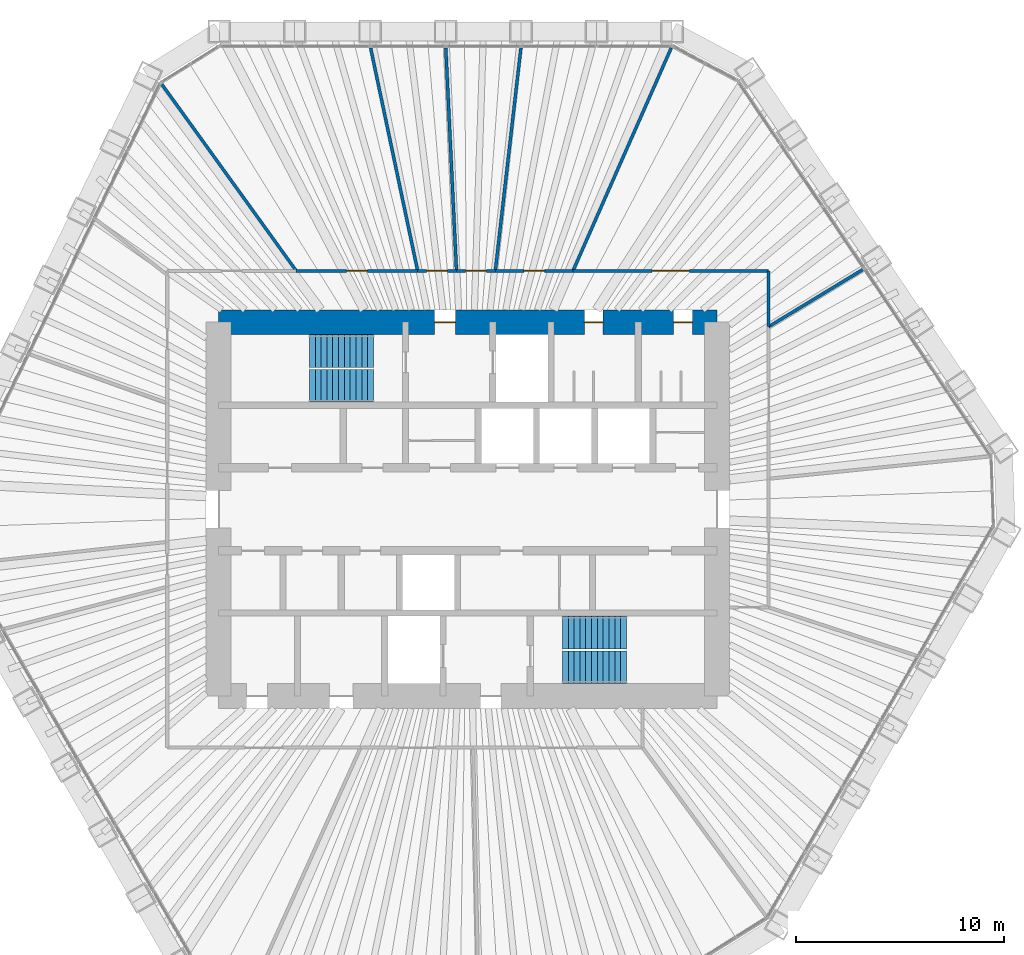
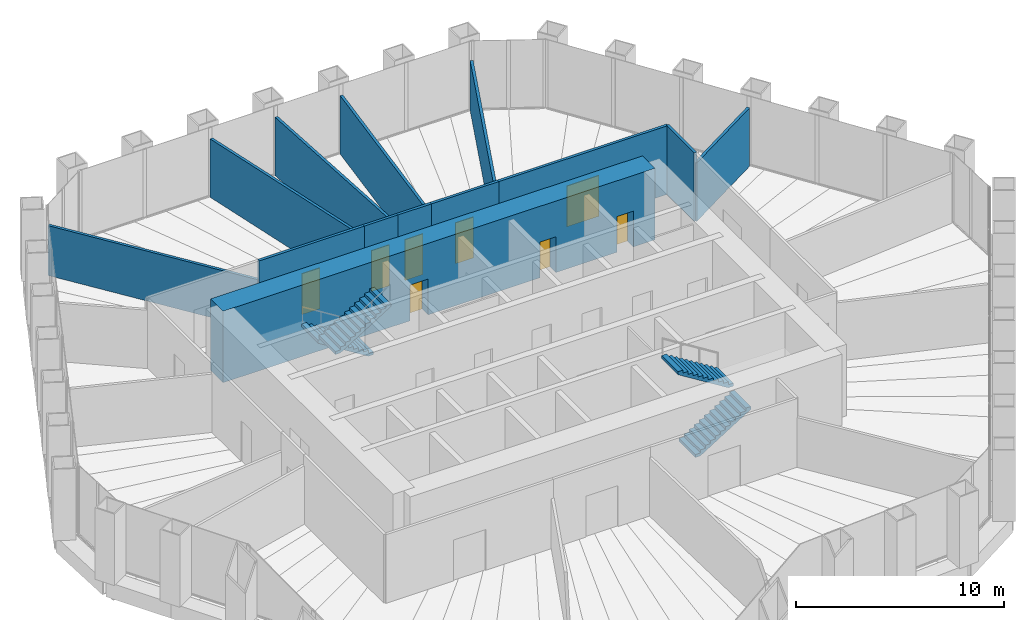
# One storey, part 13 of 14: 13 walls, 8 doors, 4 stair flights, 8 openings, 2 elements without a shape of their own.
"""IFC4 building model written with IfcOpenShell, lengths in metres."""

from ifc_helpers import new_model, si_unit, direction, frame, frame_2d, origin, place, context, subcontext, project, spatial, polyline, rectangle, outline, extrude, material, layer, layer_set, type_object, element, fill, aggregate, save


model = new_model("IFC4")

# Units and contexts
model_context = context("Model", 3, precision=1e-05, world=origin(), true_north=direction((0.0, 1.0)))
body_context = subcontext(model_context, "Body", "Model", "MODEL_VIEW")
ifc_project = project(units=[si_unit("LENGTHUNIT", "METRE"), si_unit("AREAUNIT", "SQUARE_METRE"), si_unit("VOLUMEUNIT", "CUBIC_METRE"), si_unit("PLANEANGLEUNIT", "RADIAN"), si_unit("MASSUNIT", "GRAM", prefix="KILO")], contexts=[model_context])

# Site, building, storey
site_placement = place(None, origin())
site = spatial("IfcSite", under=ifc_project, at=site_placement, CompositionType="ELEMENT")
building_placement = place(site_placement, origin())
building = spatial("IfcBuilding", under=site, at=building_placement, Name="Qingtian Harvest Tower", CompositionType="ELEMENT")
storey_placement = place(building_placement, frame((0.0, 0.0, 201.39990234375)))
storey = spatial("IfcBuildingStorey", under=building, at=storey_placement, Name="L43", CompositionType="ELEMENT", Elevation=201.39990234375)

# Wall, openings, doors
ifc_material_1 = material(Name="Concrete fc' 70 MPa", Category="concrete")
ifc_layer_1 = layer(ifc_material_1, 1.199951171875)
ifc_layer_set_1 = layer_set([ifc_layer_1], Name="Core wall RC2 1200")
wall_type_1 = type_object("IfcWallType", Name="Core wall RC2 1200", PredefinedType="SHEAR", material=ifc_layer_set_1)
wall_1_placement = place(storey_placement, frame((-12.0, 9.0, 0.0), z_axis=(0.0, 0.0, 1.0), x_axis=(1.0, 0.0, 0.0)))
wall_1 = element("IfcWall", 1, at=wall_1_placement, inside=storey, type_object=wall_type_1, Name="Core wall CN L43", PredefinedType="SHEAR", context=body_context, shape_type="SweptSolid", body=[
    extrude(rectangle(XDim=24.0, YDim=1.199951171875, at=frame_2d((12.0, 0.0))), origin(), (0.0, 0.0, 1.0), 4.2001953125),
])
opening_1_placement = place(wall_1_placement, frame((10.39990234375, 0.0, 0.0)))
opening_1 = element("IfcOpeningElement", 2, at=opening_1_placement, cuts=wall_1, Name="Opening FD1", PredefinedType="OPENING", context=body_context, shape_type="SweptSolid", body=[
    extrude(rectangle(XDim=1.0, YDim=2.10009765625, at=frame_2d((0.5, 1.050048828125))), frame((0.0, 0.60986328125, 0.0), z_axis=(0.0, -1.0, 0.0), x_axis=(1.0, 0.0, 0.0)), (0.0, 0.0, 1.0), 1.219970703125),
])
opening_2_placement = place(wall_1_placement, frame((17.60009765625, 0.0, 0.0)))
opening_2 = element("IfcOpeningElement", 3, at=opening_2_placement, cuts=wall_1, Name="Opening D1", PredefinedType="OPENING", context=body_context, shape_type="SweptSolid", body=[
    extrude(rectangle(XDim=0.89990234375, YDim=2.10009765625, at=frame_2d((0.449951171875, 1.050048828125))), frame((0.0, 0.60986328125, 0.0), z_axis=(0.0, -1.0, 0.0), x_axis=(1.0, 0.0, 0.0)), (0.0, 0.0, 1.0), 1.219970703125),
])
opening_3_placement = place(wall_1_placement, frame((21.89990234375, 0.0, 0.0)))
opening_3 = element("IfcOpeningElement", 4, at=opening_3_placement, cuts=wall_1, Name="Opening D1", PredefinedType="OPENING", context=body_context, shape_type="SweptSolid", body=[
    extrude(rectangle(XDim=0.89990234375, YDim=2.10009765625, at=frame_2d((0.449951171875, 1.050048828125))), frame((0.0, 0.60986328125, 0.0), z_axis=(0.0, -1.0, 0.0), x_axis=(1.0, 0.0, 0.0)), (0.0, 0.0, 1.0), 1.219970703125),
])
ifc_material_2 = material(Name="Steel-faced door leaf", Category="steel")
door_type_1 = type_object("IfcDoorType", Name="Fire door FD1 single 1 HR", OperationType="SINGLE_SWING_LEFT", PredefinedType="DOOR", material=ifc_material_2)
door_1_placement = place(opening_1_placement, origin())
door_1 = element("IfcDoor", 5, at=door_1_placement, inside=storey, type_object=door_type_1, Name="V1 door L43", OperationType="SINGLE_SWING_LEFT", OverallHeight=2.10009765625, OverallWidth=1.0, PredefinedType="DOOR", context=body_context, shape_type="SweptSolid", body=[
    extrude(rectangle(XDim=1.0, YDim=2.10009765625, at=frame_2d((0.5, 1.050048828125))), frame((0.0, 0.02490234375, 0.0), z_axis=(0.0, -1.0, 0.0), x_axis=(1.0, 0.0, 0.0)), (0.0, 0.0, 1.0), 0.050048828125),
])
fill(opening_1, door_1)
ifc_material_3 = material(Name="Laminated timber door leaf", Category="wood")
door_type_2 = type_object("IfcDoorType", Name="Toilet door D1 single", OperationType="SINGLE_SWING_LEFT", PredefinedType="DOOR", material=ifc_material_3)
door_2_placement = place(opening_2_placement, origin())
door_2 = element("IfcDoor", 6, at=door_2_placement, inside=storey, type_object=door_type_2, Name="WCM door L43", OperationType="SINGLE_SWING_LEFT", OverallHeight=2.10009765625, OverallWidth=0.89990234375, PredefinedType="DOOR", context=body_context, shape_type="SweptSolid", body=[
    extrude(rectangle(XDim=0.89990234375, YDim=2.10009765625, at=frame_2d((0.449951171875, 1.050048828125))), frame((0.0, 0.02490234375, 0.0), z_axis=(0.0, -1.0, 0.0), x_axis=(1.0, 0.0, 0.0)), (0.0, 0.0, 1.0), 0.050048828125),
])
fill(opening_2, door_2)
door_3_placement = place(opening_3_placement, origin())
door_3 = element("IfcDoor", 7, at=door_3_placement, inside=storey, type_object=door_type_2, Name="WCF door L43", OperationType="SINGLE_SWING_LEFT", OverallHeight=2.10009765625, OverallWidth=0.89990234375, PredefinedType="DOOR", context=body_context, shape_type="SweptSolid", body=[
    extrude(rectangle(XDim=0.89990234375, YDim=2.10009765625, at=frame_2d((0.449951171875, 1.050048828125))), frame((0.0, 0.02490234375, 0.0), z_axis=(0.0, -1.0, 0.0), x_axis=(1.0, 0.0, 0.0)), (0.0, 0.0, 1.0), 0.050048828125),
])
fill(opening_3, door_3)

# Wall
ifc_material_4 = material(Name="Gypsum board on steel studs", Category="steel")
ifc_layer_2 = layer(ifc_material_4, 0.14990234375)
ifc_layer_set_2 = layer_set([ifc_layer_2], Name="Partition PT1 150")
wall_type_2 = type_object("IfcWallType", Name="Partition PT1 150", PredefinedType="PARTITIONING", material=ifc_layer_set_2)
wall_2_placement = place(storey_placement, frame((9.7890625, 22.20849609375, 0.0), z_axis=(0.0, 0.0, 1.0), x_axis=(-0.403346052835, -0.9150475188, 0.0)))
element("IfcWall", 8, at=wall_2_placement, inside=storey, type_object=wall_type_2, Name="Office suite wall L43", PredefinedType="PARTITIONING", context=body_context, shape_type="SweptSolid", body=[
    extrude(rectangle(XDim=11.72998046875, YDim=0.14990234375, at=frame_2d((5.864990234375, 0.0))), origin(), (0.0, 0.0, 1.0), 2.93017578125),
])

# Wall, opening, door
wall_3_placement = place(storey_placement, frame((5.057861328125, 11.47509765625, 0.0), z_axis=(0.0, 0.0, 1.0), x_axis=(1.0, 0.0, 0.0)))
wall_3 = element("IfcWall", 9, at=wall_3_placement, inside=storey, type_object=wall_type_2, Name="Office suite wall L43", PredefinedType="PARTITIONING", context=body_context, shape_type="SweptSolid", body=[
    extrude(rectangle(XDim=9.417236328125, YDim=0.14990234375, at=frame_2d((4.70849609375, 0.0))), origin(), (0.0, 0.0, 1.0), 4.030029296875),
])
opening_4_placement = place(wall_3_placement, frame((3.80859375, 0.0, 0.0)))
opening_4 = element("IfcOpeningElement", 10, at=opening_4_placement, cuts=wall_3, Name="Opening D3", PredefinedType="OPENING", context=body_context, shape_type="SweptSolid", body=[
    extrude(rectangle(XDim=1.800048828125, YDim=2.39990234375, at=frame_2d((0.89990234375, 1.199951171875))), frame((0.0, 0.0849609375, 0.0), z_axis=(0.0, -1.0, 0.0), x_axis=(1.0, 0.0, 0.0)), (0.0, 0.0, 1.0), 0.169921875),
])
ifc_material_5 = material(Name="Laminated timber door leaf", Category="wood")
door_type_3 = type_object("IfcDoorType", Name="Room door D3 double", OperationType="DOUBLE_DOOR_DOUBLE_SWING", PredefinedType="DOOR", material=ifc_material_5)
door_4_placement = place(opening_4_placement, origin())
door_4 = element("IfcDoor", 11, at=door_4_placement, inside=storey, type_object=door_type_3, Name="Office suite door L43", OperationType="DOUBLE_DOOR_DOUBLE_SWING", OverallHeight=2.39990234375, OverallWidth=1.800048828125, PredefinedType="DOOR", context=body_context, shape_type="SweptSolid", body=[
    extrude(rectangle(XDim=1.800048828125, YDim=2.39990234375, at=frame_2d((0.89990234375, 1.199951171875))), frame((0.0, 0.02490234375, 0.0), z_axis=(0.0, -1.0, 0.0), x_axis=(1.0, 0.0, 0.0)), (0.0, 0.0, 1.0), 0.050048828125),
])
fill(opening_4, door_4)

# Walls
wall_4_placement = place(storey_placement, frame((14.47509765625, 11.47509765625, 0.0), z_axis=(0.0, 0.0, 1.0), x_axis=(0.0, -1.0, 0.0)))
element("IfcWall", 12, at=wall_4_placement, inside=storey, type_object=wall_type_2, Name="Office suite wall L43", PredefinedType="PARTITIONING", context=body_context, shape_type="SweptSolid", body=[
    extrude(rectangle(XDim=2.691650390625, YDim=0.14990234375, at=frame_2d((1.345703125, 0.0))), origin(), (0.0, 0.0, 1.0), 4.030029296875),
])
wall_5_placement = place(storey_placement, frame((19.001220703125, 11.530029296875, 0.0), z_axis=(0.0, 0.0, 1.0), x_axis=(-0.854906581035, -0.518781975114, 0.0)))
element("IfcWall", 13, at=wall_5_placement, inside=storey, type_object=wall_type_2, Name="Office suite wall L43", PredefinedType="PARTITIONING", context=body_context, shape_type="SweptSolid", body=[
    extrude(rectangle(XDim=5.294189453125, YDim=0.14990234375, at=frame_2d((2.64697265625, 0.0))), origin(), (0.0, 0.0, 1.0), 3.43017578125),
])
wall_6_placement = place(storey_placement, frame((-14.736572265625, 20.454833984375, 0.0), z_axis=(0.0, 0.0, 1.0), x_axis=(0.584547025688, -0.811359830629, 0.0)))
element("IfcWall", 14, at=wall_6_placement, inside=storey, type_object=wall_type_2, Name="Meeting room wall L43", PredefinedType="PARTITIONING", context=body_context, shape_type="SweptSolid", body=[
    extrude(rectangle(XDim=11.067626953125, YDim=0.14990234375, at=frame_2d((5.53369140625, 0.0))), origin(), (0.0, 0.0, 1.0), 2.93017578125),
])

# Wall, opening, door
wall_7_placement = place(storey_placement, frame((-8.26708984375, 11.47509765625, 0.0), z_axis=(0.0, 0.0, 1.0), x_axis=(1.0, 0.0, 0.0)))
wall_7 = element("IfcWall", 15, at=wall_7_placement, inside=storey, type_object=wall_type_2, Name="Meeting room wall L43", PredefinedType="PARTITIONING", context=body_context, shape_type="SweptSolid", body=[
    extrude(rectangle(XDim=5.84619140625, YDim=0.14990234375, at=frame_2d((2.923095703125, 0.0))), origin(), (0.0, 0.0, 1.0), 4.030029296875),
])
opening_5_placement = place(wall_7_placement, frame((2.423095703125, 0.0, 0.0)))
opening_5 = element("IfcOpeningElement", 16, at=opening_5_placement, cuts=wall_7, Name="Opening D2", PredefinedType="OPENING", context=body_context, shape_type="SweptSolid", body=[
    extrude(rectangle(XDim=1.0, YDim=2.39990234375, at=frame_2d((0.5, 1.199951171875))), frame((0.0, 0.0849609375, 0.0), z_axis=(0.0, -1.0, 0.0), x_axis=(1.0, 0.0, 0.0)), (0.0, 0.0, 1.0), 0.169921875),
])
ifc_material_6 = material(Name="Laminated timber door leaf", Category="wood")
door_type_4 = type_object("IfcDoorType", Name="Room door D2 single", OperationType="SINGLE_SWING_LEFT", PredefinedType="DOOR", material=ifc_material_6)
door_5_placement = place(opening_5_placement, origin())
door_5 = element("IfcDoor", 17, at=door_5_placement, inside=storey, type_object=door_type_4, Name="Meeting room door L43", OperationType="SINGLE_SWING_LEFT", OverallHeight=2.39990234375, OverallWidth=1.0, PredefinedType="DOOR", context=body_context, shape_type="SweptSolid", body=[
    extrude(rectangle(XDim=1.0, YDim=2.39990234375, at=frame_2d((0.5, 1.199951171875))), frame((0.0, 0.02490234375, 0.0), z_axis=(0.0, -1.0, 0.0), x_axis=(1.0, 0.0, 0.0)), (0.0, 0.0, 1.0), 0.050048828125),
])
fill(opening_5, door_5)

# Wall
wall_8_placement = place(storey_placement, frame((-4.684326171875, 22.2021484375, 0.0), z_axis=(0.0, 0.0, 1.0), x_axis=(0.206456017157, -0.978455881979, 0.0)))
element("IfcWall", 18, at=wall_8_placement, inside=storey, type_object=wall_type_2, Name="Print room wall L43", PredefinedType="PARTITIONING", context=body_context, shape_type="SweptSolid", body=[
    extrude(rectangle(XDim=10.963134765625, YDim=0.14990234375, at=frame_2d((5.4814453125, 0.0))), origin(), (0.0, 0.0, 1.0), 3.43017578125),
])

# Wall, opening, door
wall_9_placement = place(storey_placement, frame((-2.4208984375, 11.47509765625, 0.0), z_axis=(0.0, 0.0, 1.0), x_axis=(1.0, 0.0, 0.0)))
wall_9 = element("IfcWall", 19, at=wall_9_placement, inside=storey, type_object=wall_type_2, Name="Print room wall L43", PredefinedType="PARTITIONING", context=body_context, shape_type="SweptSolid", body=[
    extrude(rectangle(XDim=1.86962890625, YDim=0.14990234375, at=frame_2d((0.934814453125, 0.0))), origin(), (0.0, 0.0, 1.0), 4.030029296875),
])
opening_6_placement = place(wall_9_placement, frame((0.434814453125, 0.0, 0.0)))
opening_6 = element("IfcOpeningElement", 20, at=opening_6_placement, cuts=wall_9, Name="Opening D2", PredefinedType="OPENING", context=body_context, shape_type="SweptSolid", body=[
    extrude(rectangle(XDim=1.0, YDim=2.39990234375, at=frame_2d((0.5, 1.199951171875))), frame((0.0, 0.0849609375, 0.0), z_axis=(0.0, -1.0, 0.0), x_axis=(1.0, 0.0, 0.0)), (0.0, 0.0, 1.0), 0.169921875),
])
door_6_placement = place(opening_6_placement, origin())
door_6 = element("IfcDoor", 21, at=door_6_placement, inside=storey, type_object=door_type_4, Name="Print room door L43", OperationType="SINGLE_SWING_LEFT", OverallHeight=2.39990234375, OverallWidth=1.0, PredefinedType="DOOR", context=body_context, shape_type="SweptSolid", body=[
    extrude(rectangle(XDim=1.0, YDim=2.39990234375, at=frame_2d((0.5, 1.199951171875))), frame((0.0, 0.02490234375, 0.0), z_axis=(0.0, -1.0, 0.0), x_axis=(1.0, 0.0, 0.0)), (0.0, 0.0, 1.0), 0.050048828125),
])
fill(opening_6, door_6)

# Wall
wall_10_placement = place(storey_placement, frame((-1.066650390625, 22.2001953125, 0.0), z_axis=(0.0, 0.0, 1.0), x_axis=(0.047998335863, -0.998847415652, 0.0)))
element("IfcWall", 22, at=wall_10_placement, inside=storey, type_object=wall_type_2, Name="Store room wall L43", PredefinedType="PARTITIONING", context=body_context, shape_type="SweptSolid", body=[
    extrude(rectangle(XDim=10.737548828125, YDim=0.14990234375, at=frame_2d((5.36865234375, 0.0))), origin(), (0.0, 0.0, 1.0), 3.43017578125),
])

# Wall, opening, door
wall_11_placement = place(storey_placement, frame((-0.55126953125, 11.47509765625, 0.0), z_axis=(0.0, 0.0, 1.0), x_axis=(1.0, 0.0, 0.0)))
wall_11 = element("IfcWall", 23, at=wall_11_placement, inside=storey, type_object=wall_type_2, Name="Store room wall L43", PredefinedType="PARTITIONING", context=body_context, shape_type="SweptSolid", body=[
    extrude(rectangle(XDim=1.86962890625, YDim=0.14990234375, at=frame_2d((0.934814453125, 0.0))), origin(), (0.0, 0.0, 1.0), 4.030029296875),
])
opening_7_placement = place(wall_11_placement, frame((0.434814453125, 0.0, 0.0)))
opening_7 = element("IfcOpeningElement", 24, at=opening_7_placement, cuts=wall_11, Name="Opening D2", PredefinedType="OPENING", context=body_context, shape_type="SweptSolid", body=[
    extrude(rectangle(XDim=1.0, YDim=2.39990234375, at=frame_2d((0.5, 1.199951171875))), frame((0.0, 0.0849609375, 0.0), z_axis=(0.0, -1.0, 0.0), x_axis=(1.0, 0.0, 0.0)), (0.0, 0.0, 1.0), 0.169921875),
])
door_7_placement = place(opening_7_placement, origin())
door_7 = element("IfcDoor", 25, at=door_7_placement, inside=storey, type_object=door_type_4, Name="Store room door L43", OperationType="SINGLE_SWING_LEFT", OverallHeight=2.39990234375, OverallWidth=1.0, PredefinedType="DOOR", context=body_context, shape_type="SweptSolid", body=[
    extrude(rectangle(XDim=1.0, YDim=2.39990234375, at=frame_2d((0.5, 1.199951171875))), frame((0.0, 0.02490234375, 0.0), z_axis=(0.0, -1.0, 0.0), x_axis=(1.0, 0.0, 0.0)), (0.0, 0.0, 1.0), 0.050048828125),
])
fill(opening_7, door_7)

# Wall
wall_12_placement = place(storey_placement, frame((2.55078125, 22.20068359375, 0.0), z_axis=(0.0, 0.0, 1.0), x_axis=(-0.11415373111, -0.993463097288, 0.0)))
element("IfcWall", 26, at=wall_12_placement, inside=storey, type_object=wall_type_2, Name="Office suite wall L43", PredefinedType="PARTITIONING", context=body_context, shape_type="SweptSolid", body=[
    extrude(rectangle(XDim=10.796142578125, YDim=0.14990234375, at=frame_2d((5.39794921875, 0.0))), origin(), (0.0, 0.0, 1.0), 3.43017578125),
])

# Wall, opening, door
wall_13_placement = place(storey_placement, frame((1.318359375, 11.47509765625, 0.0), z_axis=(0.0, 0.0, 1.0), x_axis=(1.0, 0.0, 0.0)))
wall_13 = element("IfcWall", 27, at=wall_13_placement, inside=storey, type_object=wall_type_2, Name="Office suite wall L43", PredefinedType="PARTITIONING", context=body_context, shape_type="SweptSolid", body=[
    extrude(rectangle(XDim=3.739501953125, YDim=0.14990234375, at=frame_2d((1.86962890625, 0.0))), origin(), (0.0, 0.0, 1.0), 4.030029296875),
])
opening_8_placement = place(wall_13_placement, frame((1.36962890625, 0.0, 0.0)))
opening_8 = element("IfcOpeningElement", 28, at=opening_8_placement, cuts=wall_13, Name="Opening D2", PredefinedType="OPENING", context=body_context, shape_type="SweptSolid", body=[
    extrude(rectangle(XDim=1.0, YDim=2.39990234375, at=frame_2d((0.5, 1.199951171875))), frame((0.0, 0.0849609375, 0.0), z_axis=(0.0, -1.0, 0.0), x_axis=(1.0, 0.0, 0.0)), (0.0, 0.0, 1.0), 0.169921875),
])
door_8_placement = place(opening_8_placement, origin())
door_8 = element("IfcDoor", 29, at=door_8_placement, inside=storey, type_object=door_type_4, Name="Office suite door L43", OperationType="SINGLE_SWING_LEFT", OverallHeight=2.39990234375, OverallWidth=1.0, PredefinedType="DOOR", context=body_context, shape_type="SweptSolid", body=[
    extrude(rectangle(XDim=1.0, YDim=2.39990234375, at=frame_2d((0.5, 1.199951171875))), frame((0.0, 0.02490234375, 0.0), z_axis=(0.0, -1.0, 0.0), x_axis=(1.0, 0.0, 0.0)), (0.0, 0.0, 1.0), 0.050048828125),
])
fill(opening_8, door_8)

# Stair, stair flights
ifc_material_7 = material(Name="Concrete fc' 35 MPa", Category="concrete")
stair_type = type_object("IfcStairType", Name="Special stair ST4 4200", PredefinedType="HALF_TURN_STAIR", material=ifc_material_7)
stair_1_placement = place(storey_placement, origin())
stair_1 = element("IfcStair", 30, at=stair_1_placement, inside=storey, type_object=stair_type, Name="Special stair S1 L43", PredefinedType="HALF_TURN_STAIR")
ifc_material_8 = material(Name="Concrete fc' 35 MPa", Category="concrete")
stair_flight_type = type_object("IfcStairFlightType", Name="Stair flight SF4 4200", PredefinedType="STRAIGHT", material=ifc_material_8)
stair_flight_1_placement = place(storey_placement, frame((-4.550048828125, 7.612548828125, 0.0), z_axis=(0.0, 0.0, 1.0), x_axis=(-1.0, 0.0, 0.0)))
stair_flight_1 = element("IfcStairFlight", 31, at=stair_flight_1_placement, type_object=stair_flight_type, Name="S1 flight 1", NumberOfRisers=12, NumberOfTreads=11, PredefinedType="STRAIGHT", RiserHeight=0.175, TreadLength=0.28, context=body_context, shape_type="SweptSolid", body=[
    extrude(outline(polyline([(0.0, 0.0), (0.0, 0.175048828125), (0.280029296875, 0.175048828125), (0.280029296875, 0.35009765625), (0.56005859375, 0.35009765625), (0.56005859375, 0.52490234375), (0.840087890625, 0.52490234375), (0.840087890625, 0.699951171875), (1.1201171875, 0.699951171875), (1.1201171875, 0.875), (1.39990234375, 0.875), (1.39990234375, 1.050048828125), (1.679931640625, 1.050048828125), (1.679931640625, 1.22509765625), (1.9599609375, 1.22509765625), (1.9599609375, 1.39990234375), (2.239990234375, 1.39990234375), (2.239990234375, 1.574951171875), (2.52001953125, 1.574951171875), (2.52001953125, 1.75), (2.800048828125, 1.75), (2.800048828125, 1.925048828125), (3.080078125, 1.925048828125), (3.080078125, 2.10009765625), (3.080078125, 1.748291015625), (0.28271484375, 0.0), (0.0, 0.0)])), frame((0.0, 0.78759765625, 0.0), z_axis=(0.0, -1.0, 0.0), x_axis=(1.0, 0.0, 0.0)), (0.0, 0.0, 1.0), 1.574951171875),
])
stair_flight_2_placement = place(storey_placement, frame((-7.6298828125, 5.9375, 2.10009765625), z_axis=(0.0, 0.0, 1.0), x_axis=(1.0, 0.0, 0.0)))
stair_flight_2 = element("IfcStairFlight", 32, at=stair_flight_2_placement, type_object=stair_flight_type, Name="S1 flight 2", NumberOfRisers=12, NumberOfTreads=11, PredefinedType="STRAIGHT", RiserHeight=0.175, TreadLength=0.28, context=body_context, shape_type="SweptSolid", body=[
    extrude(outline(polyline([(0.0, 0.0), (0.0, 0.175048828125), (0.280029296875, 0.175048828125), (0.280029296875, 0.35009765625), (0.56005859375, 0.35009765625), (0.56005859375, 0.52490234375), (0.840087890625, 0.52490234375), (0.840087890625, 0.699951171875), (1.1201171875, 0.699951171875), (1.1201171875, 0.875), (1.39990234375, 0.875), (1.39990234375, 1.050048828125), (1.679931640625, 1.050048828125), (1.679931640625, 1.22509765625), (1.9599609375, 1.22509765625), (1.9599609375, 1.39990234375), (2.239990234375, 1.39990234375), (2.239990234375, 1.574951171875), (2.52001953125, 1.574951171875), (2.52001953125, 1.75), (2.800048828125, 1.75), (2.800048828125, 1.925048828125), (3.080078125, 1.925048828125), (3.080078125, 2.10009765625), (3.080078125, 1.748291015625), (0.28271484375, 0.0), (0.0, 0.0)])), frame((0.0, 0.78759765625, 0.0), z_axis=(0.0, -1.0, 0.0), x_axis=(1.0, 0.0, 0.0)), (0.0, 0.0, 1.0), 1.574951171875),
])
aggregate(stair_1, [stair_flight_1, stair_flight_2])

stair_2_placement = place(storey_placement, origin())
stair_2 = element("IfcStair", 33, at=stair_2_placement, inside=storey, type_object=stair_type, Name="Special stair S2 L43", PredefinedType="HALF_TURN_STAIR")
stair_flight_3_placement = place(storey_placement, frame((4.550048828125, -7.612548828125, 0.0), z_axis=(0.0, 0.0, 1.0), x_axis=(1.0, 0.0, 0.0)))
stair_flight_3 = element("IfcStairFlight", 34, at=stair_flight_3_placement, type_object=stair_flight_type, Name="S2 flight 1", NumberOfRisers=12, NumberOfTreads=11, PredefinedType="STRAIGHT", RiserHeight=0.175, TreadLength=0.28, context=body_context, shape_type="SweptSolid", body=[
    extrude(outline(polyline([(0.0, 0.0), (0.0, 0.175048828125), (0.280029296875, 0.175048828125), (0.280029296875, 0.35009765625), (0.56005859375, 0.35009765625), (0.56005859375, 0.52490234375), (0.840087890625, 0.52490234375), (0.840087890625, 0.699951171875), (1.1201171875, 0.699951171875), (1.1201171875, 0.875), (1.39990234375, 0.875), (1.39990234375, 1.050048828125), (1.679931640625, 1.050048828125), (1.679931640625, 1.22509765625), (1.9599609375, 1.22509765625), (1.9599609375, 1.39990234375), (2.239990234375, 1.39990234375), (2.239990234375, 1.574951171875), (2.52001953125, 1.574951171875), (2.52001953125, 1.75), (2.800048828125, 1.75), (2.800048828125, 1.925048828125), (3.080078125, 1.925048828125), (3.080078125, 2.10009765625), (3.080078125, 1.748291015625), (0.28271484375, 0.0), (0.0, 0.0)])), frame((0.0, 0.78759765625, 0.0), z_axis=(0.0, -1.0, 0.0), x_axis=(1.0, 0.0, 0.0)), (0.0, 0.0, 1.0), 1.574951171875),
])
stair_flight_4_placement = place(storey_placement, frame((7.6298828125, -5.9375, 2.10009765625), z_axis=(0.0, 0.0, 1.0), x_axis=(-1.0, 0.0, 0.0)))
stair_flight_4 = element("IfcStairFlight", 35, at=stair_flight_4_placement, type_object=stair_flight_type, Name="S2 flight 2", NumberOfRisers=12, NumberOfTreads=11, PredefinedType="STRAIGHT", RiserHeight=0.175, TreadLength=0.28, context=body_context, shape_type="SweptSolid", body=[
    extrude(outline(polyline([(0.0, 0.0), (0.0, 0.175048828125), (0.280029296875, 0.175048828125), (0.280029296875, 0.35009765625), (0.56005859375, 0.35009765625), (0.56005859375, 0.52490234375), (0.840087890625, 0.52490234375), (0.840087890625, 0.699951171875), (1.1201171875, 0.699951171875), (1.1201171875, 0.875), (1.39990234375, 0.875), (1.39990234375, 1.050048828125), (1.679931640625, 1.050048828125), (1.679931640625, 1.22509765625), (1.9599609375, 1.22509765625), (1.9599609375, 1.39990234375), (2.239990234375, 1.39990234375), (2.239990234375, 1.574951171875), (2.52001953125, 1.574951171875), (2.52001953125, 1.75), (2.800048828125, 1.75), (2.800048828125, 1.925048828125), (3.080078125, 1.925048828125), (3.080078125, 2.10009765625), (3.080078125, 1.748291015625), (0.28271484375, 0.0), (0.0, 0.0)])), frame((0.0, 0.78759765625, 0.0), z_axis=(0.0, -1.0, 0.0), x_axis=(1.0, 0.0, 0.0)), (0.0, 0.0, 1.0), 1.574951171875),
])
aggregate(stair_2, [stair_flight_3, stair_flight_4])

save(model, "model.ifc")
